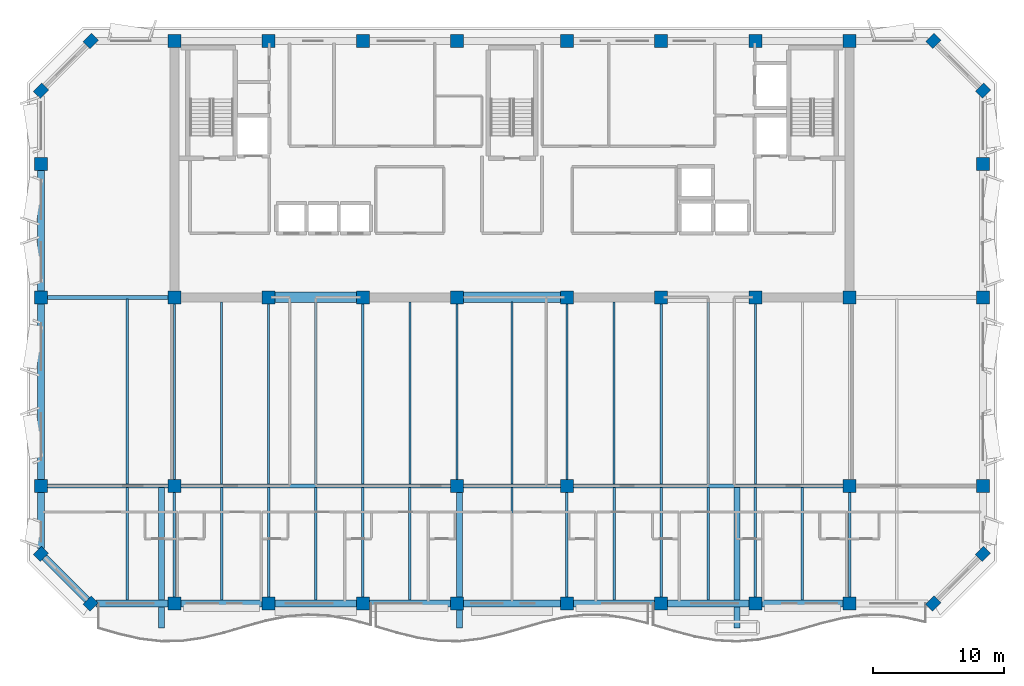
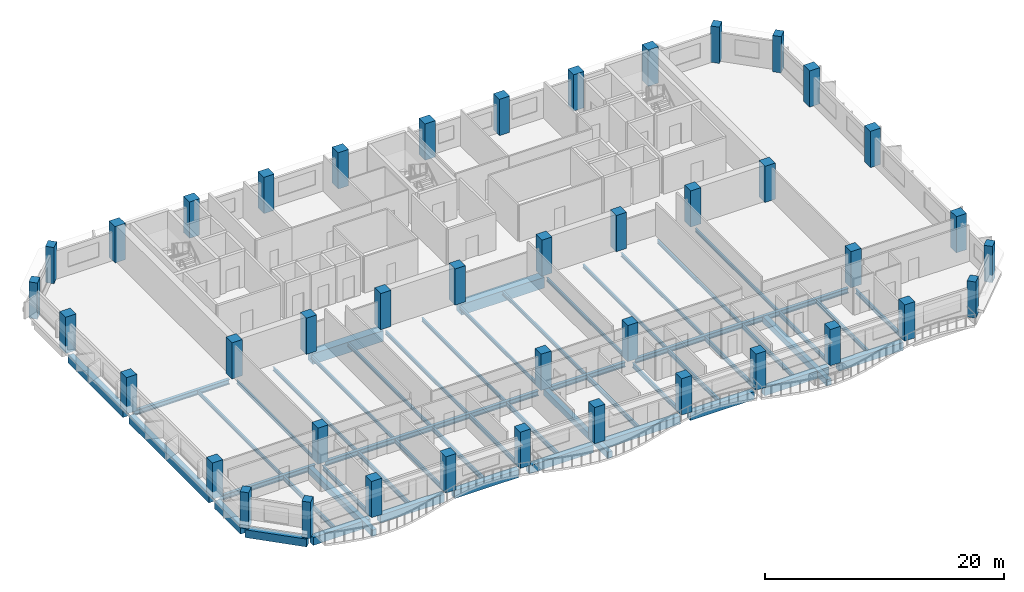
# One storey, part 1 of 11: 51 beams, 42 columns.
"""IFC4 building model written with IfcOpenShell, lengths in metres."""

from ifc_helpers import new_model, si_unit, direction, frame, origin, origin_2d, place, context, subcontext, project, spatial, rectangle, i_section, extrude, material, material_profile, profile_set, type_object, element, save


model = new_model("IFC4")

# Units and contexts
model_context = context("Model", 3, precision=1e-05, world=origin(), true_north=direction((0.0, 1.0)))
body_context = subcontext(model_context, "Body", "Model", "MODEL_VIEW")
ifc_project = project(units=[si_unit("LENGTHUNIT", "METRE"), si_unit("AREAUNIT", "SQUARE_METRE"), si_unit("VOLUMEUNIT", "CUBIC_METRE"), si_unit("PLANEANGLEUNIT", "RADIAN"), si_unit("MASSUNIT", "GRAM", prefix="KILO")], contexts=[model_context])

# Site, building, storey
site_placement = place(None, origin())
site = spatial("IfcSite", under=ifc_project, at=site_placement, CompositionType="ELEMENT")
building_placement = place(site_placement, origin())
building = spatial("IfcBuilding", under=site, at=building_placement, Name="Kaelvorn Grand Hotel", CompositionType="ELEMENT")
storey_placement = place(building_placement, frame((0.0, 0.0, 237.050048828125)))
storey = spatial("IfcBuildingStorey", under=building, at=storey_placement, Name="L58", CompositionType="ELEMENT", Elevation=237.050048828125)

# Columns
ifc_material_1 = material(Name="Concrete C60/75", Category="concrete")
ifc_material_profile_1 = material_profile(ifc_material_1, rectangle(XDim=0.89990234375, YDim=0.75, at=origin_2d()), Name="RC PILASTER 900x750")
ifc_profile_set_1 = profile_set([ifc_material_profile_1], Name="Concrete C60/75")
column_type_1 = type_object("IfcColumnType", Name="COL-PIL-900x750-C60", PredefinedType="PILASTER", material=ifc_profile_set_1)
for number, where, z_axis, x_axis, name in (
    (1, (9.800048828125, 6.0, 0.0), (0.0, 0.0, 1.0), (0.707106781187, 0.707106781187, 0.0), "L58 Structural Column CH-01"),
    (2, (74.199951171875, 6.0, 0.0), (0.0, 0.0, 1.0), (0.707106781187, 0.707106781187, 0.0), "L58 Structural Column CH-02"),
    (3, (78.0, 9.800048828125, 0.0), (0.0, 0.0, 1.0), (0.707106781187, 0.707106781187, 0.0), "L58 Structural Column CH-03"),
    (4, (78.0, 45.199951171875, 0.0), (0.0, 0.0, 1.0), (0.707106781187, 0.707106781187, 0.0), "L58 Structural Column CH-04"),
    (5, (74.199951171875, 49.0, 0.0), (0.0, 0.0, 1.0), (0.707106781187, 0.707106781187, 0.0), "L58 Structural Column CH-05"),
    (6, (9.800048828125, 49.0, 0.0), (0.0, 0.0, 1.0), (0.707106781187, 0.707106781187, 0.0), "L58 Structural Column CH-06"),
    (7, (6.0, 45.199951171875, 0.0), (0.0, 0.0, 1.0), (0.707106781187, 0.707106781187, 0.0), "L58 Structural Column CH-07"),
    (8, (6.0, 9.800048828125, 0.0), (0.0, 0.0, 1.0), (0.707106781187, 0.707106781187, 0.0), "L58 Structural Column CH-08"),
):
    element("IfcColumn", number, at=place(storey_placement, frame(where, z_axis=z_axis, x_axis=x_axis)), inside=storey, type_object=column_type_1, Name=name, PredefinedType="PILASTER", context=body_context, shape_type="SweptSolid", body=[
        extrude(rectangle(XDim=0.89990234375, YDim=0.75, at=origin_2d()), origin(), (0.0, 0.0, 1.0), 3.7099609375),
    ])
ifc_material_2 = material(Name="Concrete C50/60", Category="concrete")
ifc_material_profile_2 = material_profile(ifc_material_2, rectangle(XDim=1.0, YDim=1.0, at=origin_2d()), Name="RC COL 1000x1000")
ifc_profile_set_2 = profile_set([ifc_material_profile_2], Name="Concrete C50/60")
column_type_2 = type_object("IfcColumnType", Name="COL-RC-1000-C50", PredefinedType="COLUMN", material=ifc_profile_set_2)
for number, where, z_axis, x_axis, name in (
    (9, (16.199951171875, 6.0, 0.0), (0.0, 0.0, 1.0), (1.0, 0.0, 0.0), "L58 Structural Column S-01"),
    (10, (23.39990234375, 6.0, 0.0), (0.0, 0.0, 1.0), (1.0, 0.0, 0.0), "L58 Structural Column S-02"),
    (11, (30.60009765625, 6.0, 0.0), (0.0, 0.0, 1.0), (1.0, 0.0, 0.0), "L58 Structural Column S-03"),
    (12, (37.800048828125, 6.0, 0.0), (0.0, 0.0, 1.0), (1.0, 0.0, 0.0), "L58 Structural Column S-04"),
    (13, (46.199951171875, 6.0, 0.0), (0.0, 0.0, 1.0), (1.0, 0.0, 0.0), "L58 Structural Column S-05"),
    (14, (53.39990234375, 6.0, 0.0), (0.0, 0.0, 1.0), (1.0, 0.0, 0.0), "L58 Structural Column S-06"),
    (15, (60.60009765625, 6.0, 0.0), (0.0, 0.0, 1.0), (1.0, 0.0, 0.0), "L58 Structural Column S-07"),
    (16, (67.800048828125, 6.0, 0.0), (0.0, 0.0, 1.0), (1.0, 0.0, 0.0), "L58 Structural Column S-08"),
    (17, (6.0, 15.0, 0.0), (0.0, 0.0, 1.0), (1.0, 0.0, 0.0), "L58 Structural Column W-01"),
    (18, (78.0, 15.0, 0.0), (0.0, 0.0, 1.0), (1.0, 0.0, 0.0), "L58 Structural Column E-01"),
    (19, (6.0, 29.39990234375, 0.0), (0.0, 0.0, 1.0), (1.0, 0.0, 0.0), "L58 Structural Column W-02"),
    (20, (78.0, 29.39990234375, 0.0), (0.0, 0.0, 1.0), (1.0, 0.0, 0.0), "L58 Structural Column E-02"),
    (21, (6.0, 39.60009765625, 0.0), (0.0, 0.0, 1.0), (1.0, 0.0, 0.0), "L58 Structural Column W-03"),
    (22, (78.0, 39.60009765625, 0.0), (0.0, 0.0, 1.0), (1.0, 0.0, 0.0), "L58 Structural Column E-03"),
    (23, (16.199951171875, 15.0, 0.0), (0.0, 0.0, 1.0), (1.0, 0.0, 0.0), "L58 Structural Column M-01"),
    (24, (37.800048828125, 15.0, 0.0), (0.0, 0.0, 1.0), (1.0, 0.0, 0.0), "L58 Structural Column M-02"),
    (25, (46.199951171875, 15.0, 0.0), (0.0, 0.0, 1.0), (1.0, 0.0, 0.0), "L58 Structural Column M-03"),
    (26, (67.800048828125, 15.0, 0.0), (0.0, 0.0, 1.0), (1.0, 0.0, 0.0), "L58 Structural Column M-04"),
    (27, (16.199951171875, 29.39990234375, 0.0), (0.0, 0.0, 1.0), (1.0, 0.0, 0.0), "L58 Structural Column CR1-01"),
    (28, (16.199951171875, 49.0, 0.0), (0.0, 0.0, 1.0), (1.0, 0.0, 0.0), "L58 Structural Column CR2-01"),
    (29, (23.39990234375, 29.39990234375, 0.0), (0.0, 0.0, 1.0), (1.0, 0.0, 0.0), "L58 Structural Column CR1-02"),
    (30, (23.39990234375, 49.0, 0.0), (0.0, 0.0, 1.0), (1.0, 0.0, 0.0), "L58 Structural Column CR2-02"),
    (31, (30.60009765625, 29.39990234375, 0.0), (0.0, 0.0, 1.0), (1.0, 0.0, 0.0), "L58 Structural Column CR1-03"),
    (32, (30.60009765625, 49.0, 0.0), (0.0, 0.0, 1.0), (1.0, 0.0, 0.0), "L58 Structural Column CR2-03"),
    (33, (37.800048828125, 29.39990234375, 0.0), (0.0, 0.0, 1.0), (1.0, 0.0, 0.0), "L58 Structural Column CR1-04"),
    (34, (37.800048828125, 49.0, 0.0), (0.0, 0.0, 1.0), (1.0, 0.0, 0.0), "L58 Structural Column CR2-04"),
    (35, (46.199951171875, 29.39990234375, 0.0), (0.0, 0.0, 1.0), (1.0, 0.0, 0.0), "L58 Structural Column CR1-05"),
    (36, (46.199951171875, 49.0, 0.0), (0.0, 0.0, 1.0), (1.0, 0.0, 0.0), "L58 Structural Column CR2-05"),
    (37, (53.39990234375, 29.39990234375, 0.0), (0.0, 0.0, 1.0), (1.0, 0.0, 0.0), "L58 Structural Column CR1-06"),
    (38, (53.39990234375, 49.0, 0.0), (0.0, 0.0, 1.0), (1.0, 0.0, 0.0), "L58 Structural Column CR2-06"),
    (39, (60.60009765625, 29.39990234375, 0.0), (0.0, 0.0, 1.0), (1.0, 0.0, 0.0), "L58 Structural Column CR1-07"),
    (40, (60.60009765625, 49.0, 0.0), (0.0, 0.0, 1.0), (1.0, 0.0, 0.0), "L58 Structural Column CR2-07"),
    (41, (67.800048828125, 29.39990234375, 0.0), (0.0, 0.0, 1.0), (1.0, 0.0, 0.0), "L58 Structural Column CR1-08"),
    (42, (67.800048828125, 49.0, 0.0), (0.0, 0.0, 1.0), (1.0, 0.0, 0.0), "L58 Structural Column CR2-08"),
):
    element("IfcColumn", number, at=place(storey_placement, frame(where, z_axis=z_axis, x_axis=x_axis)), inside=storey, type_object=column_type_2, Name=name, PredefinedType="COLUMN", context=body_context, shape_type="SweptSolid", body=[
        extrude(rectangle(XDim=1.0, YDim=1.0, at=origin_2d()), origin(), (0.0, 0.0, 1.0), 3.7099609375),
    ])

# Beams
ifc_material_3 = material(Name="Steel S355", Category="steel")
ifc_material_profile_3 = material_profile(ifc_material_3, i_section(OverallWidth=0.300048828125, OverallDepth=0.5, WebThickness=0.014404296875, FlangeThickness=0.028076171875, FilletRadius=0.027099609375, at=origin_2d()), Name="HEB 500")
ifc_profile_set_3 = profile_set([ifc_material_profile_3], Name="Steel S355")
beam_type_1 = type_object("IfcBeamType", Name="BM-G-HEB500-S355", PredefinedType="BEAM", material=ifc_profile_set_3)
beam_1_placement = place(storey_placement, frame((6.485107421875, 15.0, -0.489990234375), z_axis=(1.0, 0.0, 0.0), x_axis=(0.0, 1.0, 0.0)))
element("IfcBeam", 43, at=beam_1_placement, inside=storey, type_object=beam_type_1, Name="L58 Primary Spine Steel Girder G-15 01", PredefinedType="BEAM", context=body_context, shape_type="SweptSolid", body=[
    extrude(i_section(OverallWidth=0.300048828125, OverallDepth=0.5, WebThickness=0.014404296875, FlangeThickness=0.028076171875, FilletRadius=0.027099609375, at=origin_2d()), origin(), (0.0, 0.0, 1.0), 9.22998046875),
])
beam_2_placement = place(storey_placement, frame((16.68505859375, 15.0, -0.489990234375), z_axis=(1.0, 0.0, 0.0), x_axis=(0.0, 1.0, 0.0)))
element("IfcBeam", 44, at=beam_2_placement, inside=storey, type_object=beam_type_1, Name="L58 Primary Spine Steel Girder G-15 02", PredefinedType="BEAM", context=body_context, shape_type="SweptSolid", body=[
    extrude(i_section(OverallWidth=0.300048828125, OverallDepth=0.5, WebThickness=0.014404296875, FlangeThickness=0.028076171875, FilletRadius=0.027099609375, at=origin_2d()), origin(), (0.0, 0.0, 1.0), 20.6298828125),
])
beam_3_placement = place(storey_placement, frame((38.284912109375, 15.0, -0.489990234375), z_axis=(1.0, 0.0, 0.0), x_axis=(0.0, 1.0, 0.0)))
element("IfcBeam", 45, at=beam_3_placement, inside=storey, type_object=beam_type_1, Name="L58 Primary Spine Steel Girder G-15 03", PredefinedType="BEAM", context=body_context, shape_type="SweptSolid", body=[
    extrude(i_section(OverallWidth=0.300048828125, OverallDepth=0.5, WebThickness=0.014404296875, FlangeThickness=0.028076171875, FilletRadius=0.027099609375, at=origin_2d()), origin(), (0.0, 0.0, 1.0), 7.43017578125),
])
beam_4_placement = place(storey_placement, frame((46.68505859375, 15.0, -0.489990234375), z_axis=(1.0, 0.0, 0.0), x_axis=(0.0, 1.0, 0.0)))
element("IfcBeam", 46, at=beam_4_placement, inside=storey, type_object=beam_type_1, Name="L58 Primary Spine Steel Girder G-15 04", PredefinedType="BEAM", context=body_context, shape_type="SweptSolid", body=[
    extrude(i_section(OverallWidth=0.300048828125, OverallDepth=0.5, WebThickness=0.014404296875, FlangeThickness=0.028076171875, FilletRadius=0.027099609375, at=origin_2d()), origin(), (0.0, 0.0, 1.0), 20.6298828125),
])
beam_5_placement = place(storey_placement, frame((6.485107421875, 29.39990234375, -0.489990234375), z_axis=(1.0, 0.0, 0.0), x_axis=(0.0, 1.0, 0.0)))
element("IfcBeam", 47, at=beam_5_placement, inside=storey, type_object=beam_type_1, Name="L58 West Core Wing Steel Girder G-29W 01", PredefinedType="BEAM", context=body_context, shape_type="SweptSolid", body=[
    extrude(i_section(OverallWidth=0.300048828125, OverallDepth=0.5, WebThickness=0.014404296875, FlangeThickness=0.028076171875, FilletRadius=0.027099609375, at=origin_2d()), origin(), (0.0, 0.0, 1.0), 9.22998046875),
])
ifc_material_profile_4 = material_profile(ifc_material_3, i_section(OverallWidth=0.169921875, OverallDepth=0.360107421875, WebThickness=0.008056640625, FlangeThickness=0.0126953125, FilletRadius=0.01806640625, at=origin_2d()), Name="IPE 360")
ifc_profile_set_4 = profile_set([ifc_material_profile_4], Name="Steel S355")
beam_type_2 = type_object("IfcBeamType", Name="BM-J-IPE360-S355", PredefinedType="JOIST", material=ifc_profile_set_4)
beam_6_placement = place(storey_placement, frame((12.60009765625, 15.135009765625, -0.420166015625), z_axis=(0.0, 1.0, 0.0), x_axis=(-1.0, 0.0, 0.0)))
element("IfcBeam", 48, at=beam_6_placement, inside=storey, type_object=beam_type_2, Name="L58 Composite Floor Joist JM-04", PredefinedType="JOIST", context=body_context, shape_type="SweptSolid", body=[
    extrude(i_section(OverallWidth=0.169921875, OverallDepth=0.360107421875, WebThickness=0.008056640625, FlangeThickness=0.0126953125, FilletRadius=0.01806640625, at=origin_2d()), origin(), (0.0, 0.0, 1.0), 14.1298828125),
])
beam_7_placement = place(storey_placement, frame((16.199951171875, 15.485107421875, -0.420166015625), z_axis=(0.0, 1.0, 0.0), x_axis=(-1.0, 0.0, 0.0)))
element("IfcBeam", 49, at=beam_7_placement, inside=storey, type_object=beam_type_2, Name="L58 Composite Floor Joist JM-05", PredefinedType="JOIST", context=body_context, shape_type="SweptSolid", body=[
    extrude(i_section(OverallWidth=0.169921875, OverallDepth=0.360107421875, WebThickness=0.008056640625, FlangeThickness=0.0126953125, FilletRadius=0.01806640625, at=origin_2d()), origin(), (0.0, 0.0, 1.0), 13.429931640625),
])
beam_8_placement = place(storey_placement, frame((19.800048828125, 15.135009765625, -0.420166015625), z_axis=(0.0, 1.0, 0.0), x_axis=(-1.0, 0.0, 0.0)))
element("IfcBeam", 50, at=beam_8_placement, inside=storey, type_object=beam_type_2, Name="L58 Composite Floor Joist JM-06", PredefinedType="JOIST", context=body_context, shape_type="SweptSolid", body=[
    extrude(i_section(OverallWidth=0.169921875, OverallDepth=0.360107421875, WebThickness=0.008056640625, FlangeThickness=0.0126953125, FilletRadius=0.01806640625, at=origin_2d()), origin(), (0.0, 0.0, 1.0), 13.925048828125),
])
beam_9_placement = place(storey_placement, frame((23.39990234375, 15.135009765625, -0.420166015625), z_axis=(0.0, 1.0, 0.0), x_axis=(-1.0, 0.0, 0.0)))
element("IfcBeam", 51, at=beam_9_placement, inside=storey, type_object=beam_type_2, Name="L58 Composite Floor Joist JM-07", PredefinedType="JOIST", context=body_context, shape_type="SweptSolid", body=[
    extrude(i_section(OverallWidth=0.169921875, OverallDepth=0.360107421875, WebThickness=0.008056640625, FlangeThickness=0.0126953125, FilletRadius=0.01806640625, at=origin_2d()), origin(), (0.0, 0.0, 1.0), 13.780029296875),
])
beam_10_placement = place(storey_placement, frame((27.0, 15.135009765625, -0.420166015625), z_axis=(0.0, 1.0, 0.0), x_axis=(-1.0, 0.0, 0.0)))
element("IfcBeam", 52, at=beam_10_placement, inside=storey, type_object=beam_type_2, Name="L58 Composite Floor Joist JM-08", PredefinedType="JOIST", context=body_context, shape_type="SweptSolid", body=[
    extrude(i_section(OverallWidth=0.169921875, OverallDepth=0.360107421875, WebThickness=0.008056640625, FlangeThickness=0.0126953125, FilletRadius=0.01806640625, at=origin_2d()), origin(), (0.0, 0.0, 1.0), 13.925048828125),
])
beam_11_placement = place(storey_placement, frame((30.60009765625, 15.135009765625, -0.420166015625), z_axis=(0.0, 1.0, 0.0), x_axis=(-1.0, 0.0, 0.0)))
element("IfcBeam", 53, at=beam_11_placement, inside=storey, type_object=beam_type_2, Name="L58 Composite Floor Joist JM-09", PredefinedType="JOIST", context=body_context, shape_type="SweptSolid", body=[
    extrude(i_section(OverallWidth=0.169921875, OverallDepth=0.360107421875, WebThickness=0.008056640625, FlangeThickness=0.0126953125, FilletRadius=0.01806640625, at=origin_2d()), origin(), (0.0, 0.0, 1.0), 13.780029296875),
])
beam_12_placement = place(storey_placement, frame((34.199951171875, 15.135009765625, -0.420166015625), z_axis=(0.0, 1.0, 0.0), x_axis=(-1.0, 0.0, 0.0)))
element("IfcBeam", 54, at=beam_12_placement, inside=storey, type_object=beam_type_2, Name="L58 Composite Floor Joist JM-10", PredefinedType="JOIST", context=body_context, shape_type="SweptSolid", body=[
    extrude(i_section(OverallWidth=0.169921875, OverallDepth=0.360107421875, WebThickness=0.008056640625, FlangeThickness=0.0126953125, FilletRadius=0.01806640625, at=origin_2d()), origin(), (0.0, 0.0, 1.0), 13.925048828125),
])
beam_13_placement = place(storey_placement, frame((37.800048828125, 15.485107421875, -0.420166015625), z_axis=(0.0, 1.0, 0.0), x_axis=(-1.0, 0.0, 0.0)))
element("IfcBeam", 55, at=beam_13_placement, inside=storey, type_object=beam_type_2, Name="L58 Composite Floor Joist JM-11", PredefinedType="JOIST", context=body_context, shape_type="SweptSolid", body=[
    extrude(i_section(OverallWidth=0.169921875, OverallDepth=0.360107421875, WebThickness=0.008056640625, FlangeThickness=0.0126953125, FilletRadius=0.01806640625, at=origin_2d()), origin(), (0.0, 0.0, 1.0), 13.429931640625),
])
beam_14_placement = place(storey_placement, frame((42.0, 15.135009765625, -0.420166015625), z_axis=(0.0, 1.0, 0.0), x_axis=(-1.0, 0.0, 0.0)))
element("IfcBeam", 56, at=beam_14_placement, inside=storey, type_object=beam_type_2, Name="L58 Composite Floor Joist JM-12", PredefinedType="JOIST", context=body_context, shape_type="SweptSolid", body=[
    extrude(i_section(OverallWidth=0.169921875, OverallDepth=0.360107421875, WebThickness=0.008056640625, FlangeThickness=0.0126953125, FilletRadius=0.01806640625, at=origin_2d()), origin(), (0.0, 0.0, 1.0), 13.925048828125),
])
beam_15_placement = place(storey_placement, frame((46.199951171875, 15.485107421875, -0.420166015625), z_axis=(0.0, 1.0, 0.0), x_axis=(-1.0, 0.0, 0.0)))
element("IfcBeam", 57, at=beam_15_placement, inside=storey, type_object=beam_type_2, Name="L58 Composite Floor Joist JM-13", PredefinedType="JOIST", context=body_context, shape_type="SweptSolid", body=[
    extrude(i_section(OverallWidth=0.169921875, OverallDepth=0.360107421875, WebThickness=0.008056640625, FlangeThickness=0.0126953125, FilletRadius=0.01806640625, at=origin_2d()), origin(), (0.0, 0.0, 1.0), 13.429931640625),
])
beam_16_placement = place(storey_placement, frame((49.800048828125, 15.135009765625, -0.420166015625), z_axis=(0.0, 1.0, 0.0), x_axis=(-1.0, 0.0, 0.0)))
element("IfcBeam", 58, at=beam_16_placement, inside=storey, type_object=beam_type_2, Name="L58 Composite Floor Joist JM-14", PredefinedType="JOIST", context=body_context, shape_type="SweptSolid", body=[
    extrude(i_section(OverallWidth=0.169921875, OverallDepth=0.360107421875, WebThickness=0.008056640625, FlangeThickness=0.0126953125, FilletRadius=0.01806640625, at=origin_2d()), origin(), (0.0, 0.0, 1.0), 13.925048828125),
])
beam_17_placement = place(storey_placement, frame((53.39990234375, 15.135009765625, -0.420166015625), z_axis=(0.0, 1.0, 0.0), x_axis=(-1.0, 0.0, 0.0)))
element("IfcBeam", 59, at=beam_17_placement, inside=storey, type_object=beam_type_2, Name="L58 Composite Floor Joist JM-15", PredefinedType="JOIST", context=body_context, shape_type="SweptSolid", body=[
    extrude(i_section(OverallWidth=0.169921875, OverallDepth=0.360107421875, WebThickness=0.008056640625, FlangeThickness=0.0126953125, FilletRadius=0.01806640625, at=origin_2d()), origin(), (0.0, 0.0, 1.0), 13.780029296875),
])
beam_18_placement = place(storey_placement, frame((57.0, 15.135009765625, -0.420166015625), z_axis=(0.0, 1.0, 0.0), x_axis=(-1.0, 0.0, 0.0)))
element("IfcBeam", 60, at=beam_18_placement, inside=storey, type_object=beam_type_2, Name="L58 Composite Floor Joist JM-16", PredefinedType="JOIST", context=body_context, shape_type="SweptSolid", body=[
    extrude(i_section(OverallWidth=0.169921875, OverallDepth=0.360107421875, WebThickness=0.008056640625, FlangeThickness=0.0126953125, FilletRadius=0.01806640625, at=origin_2d()), origin(), (0.0, 0.0, 1.0), 13.925048828125),
])
beam_19_placement = place(storey_placement, frame((60.60009765625, 15.135009765625, -0.420166015625), z_axis=(0.0, 1.0, 0.0), x_axis=(-1.0, 0.0, 0.0)))
element("IfcBeam", 61, at=beam_19_placement, inside=storey, type_object=beam_type_2, Name="L58 Composite Floor Joist JM-17", PredefinedType="JOIST", context=body_context, shape_type="SweptSolid", body=[
    extrude(i_section(OverallWidth=0.169921875, OverallDepth=0.360107421875, WebThickness=0.008056640625, FlangeThickness=0.0126953125, FilletRadius=0.01806640625, at=origin_2d()), origin(), (0.0, 0.0, 1.0), 13.780029296875),
])
ifc_material_profile_5 = material_profile(ifc_material_3, i_section(OverallWidth=0.18994140625, OverallDepth=0.449951171875, WebThickness=0.009521484375, FlangeThickness=0.0146484375, FilletRadius=0.02099609375, at=origin_2d()), Name="IPE 450")
ifc_profile_set_5 = profile_set([ifc_material_profile_5], Name="Steel S355")
beam_type_3 = type_object("IfcBeamType", Name="BM-J-IPE450-S355", PredefinedType="JOIST", material=ifc_profile_set_5)
beam_20_placement = place(storey_placement, frame((12.60009765625, 6.260009765625, -0.465087890625), z_axis=(0.0, 1.0, 0.0), x_axis=(-1.0, 0.0, 0.0)))
element("IfcBeam", 62, at=beam_20_placement, inside=storey, type_object=beam_type_3, Name="L58 Composite Floor Joist JS-04", PredefinedType="JOIST", context=body_context, shape_type="SweptSolid", body=[
    extrude(i_section(OverallWidth=0.18994140625, OverallDepth=0.449951171875, WebThickness=0.009521484375, FlangeThickness=0.0146484375, FilletRadius=0.02099609375, at=origin_2d()), origin(), (0.0, 0.0, 1.0), 8.60498046875),
])
beam_21_placement = place(storey_placement, frame((16.199951171875, 6.485107421875, -0.465087890625), z_axis=(0.0, 1.0, 0.0), x_axis=(-1.0, 0.0, 0.0)))
element("IfcBeam", 63, at=beam_21_placement, inside=storey, type_object=beam_type_3, Name="L58 Composite Floor Joist JS-05", PredefinedType="JOIST", context=body_context, shape_type="SweptSolid", body=[
    extrude(i_section(OverallWidth=0.18994140625, OverallDepth=0.449951171875, WebThickness=0.009521484375, FlangeThickness=0.0146484375, FilletRadius=0.02099609375, at=origin_2d()), origin(), (0.0, 0.0, 1.0), 8.02978515625),
])
beam_22_placement = place(storey_placement, frame((19.800048828125, 6.260009765625, -0.465087890625), z_axis=(0.0, 1.0, 0.0), x_axis=(-1.0, 0.0, 0.0)))
element("IfcBeam", 64, at=beam_22_placement, inside=storey, type_object=beam_type_3, Name="L58 Composite Floor Joist JS-06", PredefinedType="JOIST", context=body_context, shape_type="SweptSolid", body=[
    extrude(i_section(OverallWidth=0.18994140625, OverallDepth=0.449951171875, WebThickness=0.009521484375, FlangeThickness=0.0146484375, FilletRadius=0.02099609375, at=origin_2d()), origin(), (0.0, 0.0, 1.0), 8.60498046875),
])
beam_23_placement = place(storey_placement, frame((23.39990234375, 6.485107421875, -0.465087890625), z_axis=(0.0, 1.0, 0.0), x_axis=(-1.0, 0.0, 0.0)))
element("IfcBeam", 65, at=beam_23_placement, inside=storey, type_object=beam_type_3, Name="L58 Composite Floor Joist JS-07", PredefinedType="JOIST", context=body_context, shape_type="SweptSolid", body=[
    extrude(i_section(OverallWidth=0.18994140625, OverallDepth=0.449951171875, WebThickness=0.009521484375, FlangeThickness=0.0146484375, FilletRadius=0.02099609375, at=origin_2d()), origin(), (0.0, 0.0, 1.0), 8.3798828125),
])
beam_24_placement = place(storey_placement, frame((27.0, 6.260009765625, -0.465087890625), z_axis=(0.0, 1.0, 0.0), x_axis=(-1.0, 0.0, 0.0)))
element("IfcBeam", 66, at=beam_24_placement, inside=storey, type_object=beam_type_3, Name="L58 Composite Floor Joist JS-08", PredefinedType="JOIST", context=body_context, shape_type="SweptSolid", body=[
    extrude(i_section(OverallWidth=0.18994140625, OverallDepth=0.449951171875, WebThickness=0.009521484375, FlangeThickness=0.0146484375, FilletRadius=0.02099609375, at=origin_2d()), origin(), (0.0, 0.0, 1.0), 8.60498046875),
])
beam_25_placement = place(storey_placement, frame((30.60009765625, 6.485107421875, -0.465087890625), z_axis=(0.0, 1.0, 0.0), x_axis=(-1.0, 0.0, 0.0)))
element("IfcBeam", 67, at=beam_25_placement, inside=storey, type_object=beam_type_3, Name="L58 Composite Floor Joist JS-09", PredefinedType="JOIST", context=body_context, shape_type="SweptSolid", body=[
    extrude(i_section(OverallWidth=0.18994140625, OverallDepth=0.449951171875, WebThickness=0.009521484375, FlangeThickness=0.0146484375, FilletRadius=0.02099609375, at=origin_2d()), origin(), (0.0, 0.0, 1.0), 8.3798828125),
])
for number, where, z_axis, x_axis, name in (
    (68, (34.199951171875, 6.260009765625, -0.465087890625), (0.0, 1.0, 0.0), (-1.0, 0.0, 0.0), "L58 Composite Floor Joist JS-10"),
    (69, (42.0, 6.260009765625, -0.465087890625), (0.0, 1.0, 0.0), (-1.0, 0.0, 0.0), "L58 Composite Floor Joist JS-12"),
):
    element("IfcBeam", number, at=place(storey_placement, frame(where, z_axis=z_axis, x_axis=x_axis)), inside=storey, type_object=beam_type_3, Name=name, PredefinedType="JOIST", context=body_context, shape_type="SweptSolid", body=[
        extrude(i_section(OverallWidth=0.18994140625, OverallDepth=0.449951171875, WebThickness=0.009521484375, FlangeThickness=0.0146484375, FilletRadius=0.02099609375, at=origin_2d()), origin(), (0.0, 0.0, 1.0), 8.60498046875),
    ])
beam_26_placement = place(storey_placement, frame((46.199951171875, 6.485107421875, -0.465087890625), z_axis=(0.0, 1.0, 0.0), x_axis=(-1.0, 0.0, 0.0)))
element("IfcBeam", 70, at=beam_26_placement, inside=storey, type_object=beam_type_3, Name="L58 Composite Floor Joist JS-13", PredefinedType="JOIST", context=body_context, shape_type="SweptSolid", body=[
    extrude(i_section(OverallWidth=0.18994140625, OverallDepth=0.449951171875, WebThickness=0.009521484375, FlangeThickness=0.0146484375, FilletRadius=0.02099609375, at=origin_2d()), origin(), (0.0, 0.0, 1.0), 8.02978515625),
])
beam_27_placement = place(storey_placement, frame((49.800048828125, 6.260009765625, -0.465087890625), z_axis=(0.0, 1.0, 0.0), x_axis=(-1.0, 0.0, 0.0)))
element("IfcBeam", 71, at=beam_27_placement, inside=storey, type_object=beam_type_3, Name="L58 Composite Floor Joist JS-14", PredefinedType="JOIST", context=body_context, shape_type="SweptSolid", body=[
    extrude(i_section(OverallWidth=0.18994140625, OverallDepth=0.449951171875, WebThickness=0.009521484375, FlangeThickness=0.0146484375, FilletRadius=0.02099609375, at=origin_2d()), origin(), (0.0, 0.0, 1.0), 8.60498046875),
])
beam_28_placement = place(storey_placement, frame((53.39990234375, 6.485107421875, -0.465087890625), z_axis=(0.0, 1.0, 0.0), x_axis=(-1.0, 0.0, 0.0)))
element("IfcBeam", 72, at=beam_28_placement, inside=storey, type_object=beam_type_3, Name="L58 Composite Floor Joist JS-15", PredefinedType="JOIST", context=body_context, shape_type="SweptSolid", body=[
    extrude(i_section(OverallWidth=0.18994140625, OverallDepth=0.449951171875, WebThickness=0.009521484375, FlangeThickness=0.0146484375, FilletRadius=0.02099609375, at=origin_2d()), origin(), (0.0, 0.0, 1.0), 8.3798828125),
])
beam_29_placement = place(storey_placement, frame((57.0, 6.260009765625, -0.465087890625), z_axis=(0.0, 1.0, 0.0), x_axis=(-1.0, 0.0, 0.0)))
element("IfcBeam", 73, at=beam_29_placement, inside=storey, type_object=beam_type_3, Name="L58 Composite Floor Joist JS-16", PredefinedType="JOIST", context=body_context, shape_type="SweptSolid", body=[
    extrude(i_section(OverallWidth=0.18994140625, OverallDepth=0.449951171875, WebThickness=0.009521484375, FlangeThickness=0.0146484375, FilletRadius=0.02099609375, at=origin_2d()), origin(), (0.0, 0.0, 1.0), 8.60498046875),
])
beam_30_placement = place(storey_placement, frame((60.60009765625, 6.485107421875, -0.465087890625), z_axis=(0.0, 1.0, 0.0), x_axis=(-1.0, 0.0, 0.0)))
element("IfcBeam", 74, at=beam_30_placement, inside=storey, type_object=beam_type_3, Name="L58 Composite Floor Joist JS-17", PredefinedType="JOIST", context=body_context, shape_type="SweptSolid", body=[
    extrude(i_section(OverallWidth=0.18994140625, OverallDepth=0.449951171875, WebThickness=0.009521484375, FlangeThickness=0.0146484375, FilletRadius=0.02099609375, at=origin_2d()), origin(), (0.0, 0.0, 1.0), 8.3798828125),
])
beam_31_placement = place(storey_placement, frame((64.199951171875, 6.260009765625, -0.465087890625), z_axis=(0.0, 1.0, 0.0), x_axis=(-1.0, 0.0, 0.0)))
element("IfcBeam", 75, at=beam_31_placement, inside=storey, type_object=beam_type_3, Name="L58 Composite Floor Joist JS-18", PredefinedType="JOIST", context=body_context, shape_type="SweptSolid", body=[
    extrude(i_section(OverallWidth=0.18994140625, OverallDepth=0.449951171875, WebThickness=0.009521484375, FlangeThickness=0.0146484375, FilletRadius=0.02099609375, at=origin_2d()), origin(), (0.0, 0.0, 1.0), 8.60498046875),
])
beam_32_placement = place(storey_placement, frame((67.800048828125, 6.485107421875, -0.465087890625), z_axis=(0.0, 1.0, 0.0), x_axis=(-1.0, 0.0, 0.0)))
element("IfcBeam", 76, at=beam_32_placement, inside=storey, type_object=beam_type_3, Name="L58 Composite Floor Joist JS-19", PredefinedType="JOIST", context=body_context, shape_type="SweptSolid", body=[
    extrude(i_section(OverallWidth=0.18994140625, OverallDepth=0.449951171875, WebThickness=0.009521484375, FlangeThickness=0.0146484375, FilletRadius=0.02099609375, at=origin_2d()), origin(), (0.0, 0.0, 1.0), 8.02978515625),
])
ifc_material_profile_6 = material_profile(ifc_material_1, rectangle(XDim=0.800048828125, YDim=1.10009765625, at=origin_2d()), Name="RC LINTEL 800x1100")
ifc_profile_set_6 = profile_set([ifc_material_profile_6], Name="Concrete C60/75")
beam_type_4 = type_object("IfcBeamType", Name="BM-LIN-800x1100-C60", PredefinedType="LINTEL", material=ifc_profile_set_6)
beam_33_placement = place(storey_placement, frame((23.580078125, 29.39990234375, -0.7900390625), z_axis=(1.0, 0.0, 0.0), x_axis=(0.0, 1.0, 0.0)))
element("IfcBeam", 77, at=beam_33_placement, inside=storey, type_object=beam_type_4, Name="L58 Rear-Core Coupling Lintel Beam CB1-01", PredefinedType="LINTEL", context=body_context, shape_type="SweptSolid", body=[
    extrude(rectangle(XDim=0.800048828125, YDim=1.10009765625, at=origin_2d()), origin(), (0.0, 0.0, 1.0), 6.83984375),
])
beam_34_placement = place(storey_placement, frame((37.97998046875, 29.39990234375, -0.7900390625), z_axis=(1.0, 0.0, 0.0), x_axis=(0.0, 1.0, 0.0)))
element("IfcBeam", 78, at=beam_34_placement, inside=storey, type_object=beam_type_4, Name="L58 Rear-Core Coupling Lintel Beam CB1-02", PredefinedType="LINTEL", context=body_context, shape_type="SweptSolid", body=[
    extrude(rectangle(XDim=0.800048828125, YDim=1.10009765625, at=origin_2d()), origin(), (0.0, 0.0, 1.0), 8.0400390625),
])
ifc_material_4 = material(Name="Concrete C40/50", Category="concrete")
ifc_material_profile_7 = material_profile(ifc_material_4, rectangle(XDim=0.449951171875, YDim=0.64990234375, at=origin_2d()), Name="RC RIB 450x650")
ifc_profile_set_7 = profile_set([ifc_material_profile_7], Name="Concrete C40/50")
beam_type_5 = type_object("IfcBeamType", Name="BM-RIB-450x650-C40", PredefinedType="SPANDREL", material=ifc_profile_set_7)
for number, where, z_axis, x_axis, name in (
    (79, (15.199951171875, 4.14990234375, -0.545166015625), (0.0, 1.0, 0.0), (-1.0, 0.0, 0.0), "L58 Cantilevered Balcony Back-Span Rib RB1-1"),
    (80, (38.0, 4.14990234375, -0.545166015625), (0.0, 1.0, 0.0), (-1.0, 0.0, 0.0), "L58 Cantilevered Balcony Back-Span Rib RB1-2"),
    (81, (59.199951171875, 4.14990234375, -0.545166015625), (0.0, 1.0, 0.0), (-1.0, 0.0, 0.0), "L58 Cantilevered Balcony Back-Span Rib RB1-3"),
):
    element("IfcBeam", number, at=place(storey_placement, frame(where, z_axis=z_axis, x_axis=x_axis)), inside=storey, type_object=beam_type_5, Name=name, PredefinedType="SPANDREL", context=body_context, shape_type="SweptSolid", body=[
        extrude(rectangle(XDim=0.449951171875, YDim=0.64990234375, at=origin_2d()), origin(), (0.0, 0.0, 1.0), 10.715087890625),
    ])
ifc_material_profile_8 = material_profile(ifc_material_2, rectangle(XDim=0.550048828125, YDim=0.800048828125, at=origin_2d()), Name="RC SPANDREL 550x800")
ifc_profile_set_8 = profile_set([ifc_material_profile_8], Name="Concrete C50/60")
beam_type_6 = type_object("IfcBeamType", Name="BM-SP-550x800-C50", PredefinedType="SPANDREL", material=ifc_profile_set_8)
beam_35_placement = place(storey_placement, frame((10.205078125, 6.0, -0.64013671875), z_axis=(1.0, 0.0, 0.0), x_axis=(0.0, 1.0, 0.0)))
element("IfcBeam", 82, at=beam_35_placement, inside=storey, type_object=beam_type_6, Name="L58 South Perimeter Spandrel 01", PredefinedType="SPANDREL", context=body_context, shape_type="SweptSolid", body=[
    extrude(rectangle(XDim=0.550048828125, YDim=0.800048828125, at=origin_2d()), origin(), (0.0, 0.0, 1.0), 5.510009765625),
])
for number, where, z_axis, x_axis, name in (
    (83, (16.68505859375, 6.0, -0.64013671875), (1.0, 0.0, 0.0), (0.0, 1.0, 0.0), "L58 South Perimeter Spandrel 02"),
    (84, (23.885009765625, 6.0, -0.64013671875), (1.0, 0.0, 0.0), (0.0, 1.0, 0.0), "L58 South Perimeter Spandrel 03"),
    (85, (31.0849609375, 6.0, -0.64013671875), (1.0, 0.0, 0.0), (0.0, 1.0, 0.0), "L58 South Perimeter Spandrel 04"),
):
    element("IfcBeam", number, at=place(storey_placement, frame(where, z_axis=z_axis, x_axis=x_axis)), inside=storey, type_object=beam_type_6, Name=name, PredefinedType="SPANDREL", context=body_context, shape_type="SweptSolid", body=[
        extrude(rectangle(XDim=0.550048828125, YDim=0.800048828125, at=origin_2d()), origin(), (0.0, 0.0, 1.0), 6.22998046875),
    ])
beam_36_placement = place(storey_placement, frame((38.284912109375, 6.0, -0.64013671875), z_axis=(1.0, 0.0, 0.0), x_axis=(0.0, 1.0, 0.0)))
element("IfcBeam", 86, at=beam_36_placement, inside=storey, type_object=beam_type_6, Name="L58 South Perimeter Spandrel 05", PredefinedType="SPANDREL", context=body_context, shape_type="SweptSolid", body=[
    extrude(rectangle(XDim=0.550048828125, YDim=0.800048828125, at=origin_2d()), origin(), (0.0, 0.0, 1.0), 7.43017578125),
])
for number, where, z_axis, x_axis, name in (
    (87, (46.68505859375, 6.0, -0.64013671875), (1.0, 0.0, 0.0), (0.0, 1.0, 0.0), "L58 South Perimeter Spandrel 06"),
    (88, (53.885009765625, 6.0, -0.64013671875), (1.0, 0.0, 0.0), (0.0, 1.0, 0.0), "L58 South Perimeter Spandrel 07"),
    (89, (61.0849609375, 6.0, -0.64013671875), (1.0, 0.0, 0.0), (0.0, 1.0, 0.0), "L58 South Perimeter Spandrel 08"),
):
    element("IfcBeam", number, at=place(storey_placement, frame(where, z_axis=z_axis, x_axis=x_axis)), inside=storey, type_object=beam_type_6, Name=name, PredefinedType="SPANDREL", context=body_context, shape_type="SweptSolid", body=[
        extrude(rectangle(XDim=0.550048828125, YDim=0.800048828125, at=origin_2d()), origin(), (0.0, 0.0, 1.0), 6.22998046875),
    ])
beam_37_placement = place(storey_placement, frame((6.0, 10.205078125, -0.64013671875), z_axis=(0.0, 1.0, 0.0), x_axis=(-1.0, 0.0, 0.0)))
element("IfcBeam", 90, at=beam_37_placement, inside=storey, type_object=beam_type_6, Name="L58 West Perimeter Spandrel 01", PredefinedType="SPANDREL", context=body_context, shape_type="SweptSolid", body=[
    extrude(rectangle(XDim=0.550048828125, YDim=0.800048828125, at=origin_2d()), origin(), (0.0, 0.0, 1.0), 4.309814453125),
])
beam_38_placement = place(storey_placement, frame((6.0, 15.485107421875, -0.64013671875), z_axis=(0.0, 1.0, 0.0), x_axis=(-1.0, 0.0, 0.0)))
element("IfcBeam", 91, at=beam_38_placement, inside=storey, type_object=beam_type_6, Name="L58 West Perimeter Spandrel 02", PredefinedType="SPANDREL", context=body_context, shape_type="SweptSolid", body=[
    extrude(rectangle(XDim=0.550048828125, YDim=0.800048828125, at=origin_2d()), origin(), (0.0, 0.0, 1.0), 13.429931640625),
])
beam_39_placement = place(storey_placement, frame((6.0, 29.885009765625, -0.64013671875), z_axis=(0.0, 1.0, 0.0), x_axis=(-1.0, 0.0, 0.0)))
element("IfcBeam", 92, at=beam_39_placement, inside=storey, type_object=beam_type_6, Name="L58 West Perimeter Spandrel 03", PredefinedType="SPANDREL", context=body_context, shape_type="SweptSolid", body=[
    extrude(rectangle(XDim=0.550048828125, YDim=0.800048828125, at=origin_2d()), origin(), (0.0, 0.0, 1.0), 9.22998046875),
])
beam_40_placement = place(storey_placement, frame((6.0, 9.800048828125, -0.64013671875), z_axis=(0.707106781187, -0.707106781187, 0.0), x_axis=(0.707106781187, 0.707106781187, 0.0)))
element("IfcBeam", 93, at=beam_40_placement, inside=storey, type_object=beam_type_6, Name="L58 Chamfer Spandrel Beam 4", PredefinedType="SPANDREL", context=body_context, shape_type="SweptSolid", body=[
    extrude(rectangle(XDim=0.550048828125, YDim=0.800048828125, at=origin_2d()), origin(), (0.0, 0.0, 1.0), 5.3740234375),
])

save(model, "model.ifc")
